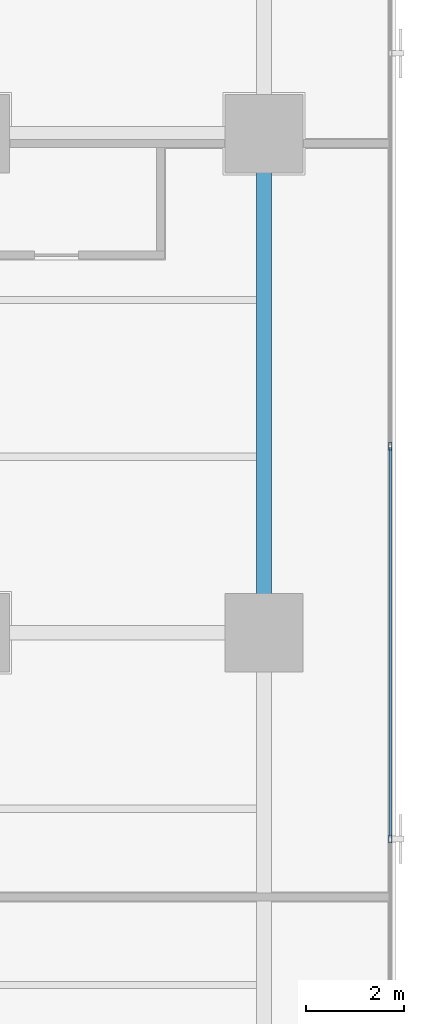
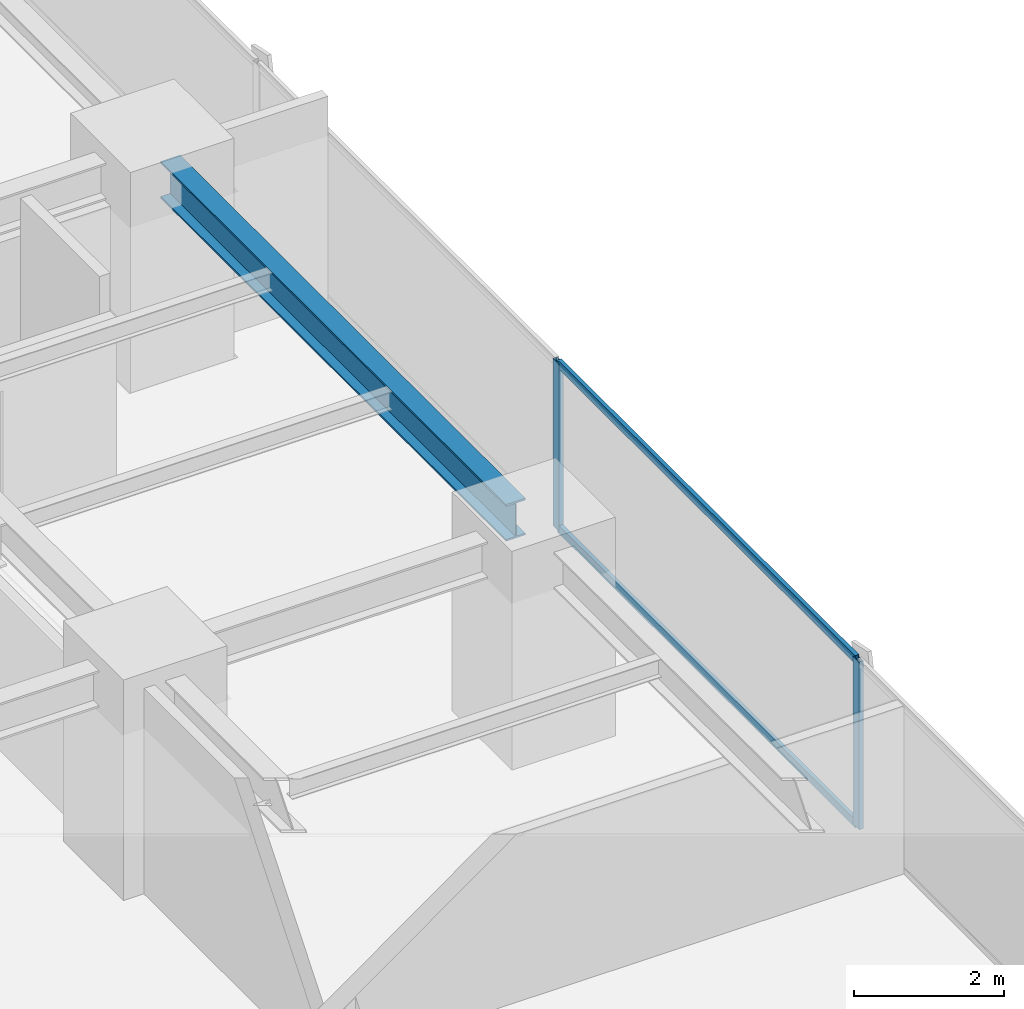
# One storey, part 16 of 35: 4 members, 1 beam, 1 element without a shape of its own.
"""IFC4 building model written with IfcOpenShell, lengths in metres."""

from ifc_helpers import new_model, si_unit, direction, frame, origin, origin_2d, place, context, subcontext, project, spatial, hollow_rectangle, i_section, extrude, source, transform, mapped, material, layer, layer_set, material_profile, profile_set, type_object, element, aggregate, save


model = new_model("IFC4")

# Units and contexts
model_context = context("Model", 3, precision=1e-05, world=origin(), true_north=direction((0.0, 1.0)))
body_context = subcontext(model_context, "Body", "Model", "MODEL_VIEW")
ifc_project = project(units=[si_unit("LENGTHUNIT", "METRE"), si_unit("AREAUNIT", "SQUARE_METRE"), si_unit("VOLUMEUNIT", "CUBIC_METRE"), si_unit("PLANEANGLEUNIT", "RADIAN"), si_unit("MASSUNIT", "GRAM", prefix="KILO")], contexts=[model_context])

# Site, building, storey
site_placement = place(None, origin())
site = spatial("IfcSite", under=ifc_project, at=site_placement, CompositionType="ELEMENT")
building_placement = place(site_placement, origin())
building = spatial("IfcBuilding", under=site, at=building_placement, Name="Sumidabori Civic Tower", CompositionType="ELEMENT")
storey_placement = place(building_placement, frame((0.0, 0.0, 102.800048828125)))
storey = spatial("IfcBuildingStorey", under=building, at=storey_placement, Name="L26", CompositionType="ELEMENT", Elevation=102.800048828125)

# Beam
ifc_material_1 = material(Name="Steel SN490", Category="steel")
ifc_material_profile_1 = material_profile(ifc_material_1, i_section(OverallWidth=0.300048828125, OverallDepth=0.60009765625, WebThickness=0.015380859375, FlangeThickness=0.030029296875, at=origin_2d()), Name="HE 600 B")
ifc_profile_set_1 = profile_set([ifc_material_profile_1], Name="Steel SN490")
beam_type = type_object("IfcBeamType", Name="BM-GIRD-600", PredefinedType="BEAM", material=ifc_profile_set_1)
shared_shape_1 = source(origin(), body_context, "Body", "SweptSolid", [
    extrude(i_section(OverallWidth=0.300048828125, OverallDepth=0.60009765625, WebThickness=0.015380859375, FlangeThickness=0.030029296875, at=origin_2d()), origin(), (0.0, 0.0, 1.0), 9.239990234375),
])
beam_placement = place(storey_placement, frame((22.800048828125, 0.47998046875, 3.06005859375), z_axis=(0.0, 1.0, 0.0), x_axis=(-1.0, 0.0, 0.0)))
element("IfcBeam", 1, at=beam_placement, inside=storey, type_object=beam_type, Name="Primary Girder L26 GY-41", PredefinedType="BEAM", context=body_context, shape_type="MappedRepresentation", body=[
    mapped(shared_shape_1, transform((0.0, 0.0, 0.0), x_axis=(1.0, 0.0, 0.0), y_axis=(0.0, 1.0, 0.0), z_axis=(0.0, 0.0, 1.0), scale=1.0)),
])

# Curtain wall, members
ifc_material_2 = material(Name="Anodised Bronze Aluminium AW-6063-T6", Category="aluminium")
ifc_layer = layer(ifc_material_2, 0.179931640625, Name="Anodised Bronze Aluminium AW-6063-T6")
ifc_layer_set = layer_set([ifc_layer], Name="Anodised Bronze Aluminium AW-6063-T6")
curtain_wall_type = type_object("IfcCurtainWallType", Name="CW-SYS-3", PredefinedType="NOTDEFINED", material=ifc_layer_set)
curtain_wall_placement = place(storey_placement, origin())
curtain_wall = element("IfcCurtainWall", 2, at=curtain_wall_placement, inside=storey, type_object=curtain_wall_type, Name="Curtain Wall CW:L26:R04", PredefinedType="NOTDEFINED")
ifc_material_profile_2 = material_profile(ifc_material_2, hollow_rectangle(XDim=0.06494140625, YDim=0.159912109375, WallThickness=0.0048828125, at=origin_2d()), Name="ALU MULLION 160x65")
ifc_profile_set_2 = profile_set([ifc_material_profile_2], Name="Anodised Bronze Aluminium AW-6063-T6")
member_type_1 = type_object("IfcMemberType", Name="CW-MUL-160", PredefinedType="MULLION", material=ifc_profile_set_2)
shared_shape_2 = source(origin(), body_context, "Body", "SweptSolid", [
    extrude(hollow_rectangle(XDim=0.06494140625, YDim=0.159912109375, WallThickness=0.0048828125, at=origin_2d()), origin(), (0.0, 0.0, 1.0), 2.739990234375),
])
member_1_placement = place(storey_placement, frame((25.3798828125, -4.214111328125, 0.0), z_axis=(0.0, 0.0, 1.0), x_axis=(-1.0, 0.0, 0.0)))
member_1 = element("IfcMember", 3, at=member_1_placement, type_object=member_type_1, Name="CW-3 mullion 3", PredefinedType="MULLION", context=body_context, shape_type="MappedRepresentation", body=[
    mapped(shared_shape_2, transform((0.0, 0.0, 0.0), x_axis=(1.0, 0.0, 0.0), y_axis=(0.0, 1.0, 0.0), z_axis=(0.0, 0.0, 1.0), scale=1.0)),
])
member_2_placement = place(storey_placement, frame((25.3798828125, 3.81396484375, 0.0), z_axis=(0.0, 0.0, 1.0), x_axis=(-1.0, 0.0, 0.0)))
member_2 = element("IfcMember", 4, at=member_2_placement, type_object=member_type_1, Name="CW-3 mullion 4", PredefinedType="MULLION", context=body_context, shape_type="MappedRepresentation", body=[
    mapped(shared_shape_2, transform((0.0, 0.0, 0.0), x_axis=(1.0, 0.0, 0.0), y_axis=(0.0, 1.0, 0.0), z_axis=(0.0, 0.0, 1.0), scale=1.0)),
])
ifc_material_profile_3 = material_profile(ifc_material_2, hollow_rectangle(XDim=0.06005859375, YDim=0.1298828125, WallThickness=0.0048828125, at=origin_2d()), Name="ALU TRANSOM 130x60")
ifc_profile_set_3 = profile_set([ifc_material_profile_3], Name="Anodised Bronze Aluminium AW-6063-T6")
member_type_2 = type_object("IfcMemberType", Name="CW-TRN-130", PredefinedType="USERDEFINED", material=ifc_profile_set_3)
shared_shape_3 = source(origin(), body_context, "Body", "SweptSolid", [
    extrude(hollow_rectangle(XDim=0.06005859375, YDim=0.1298828125, WallThickness=0.0048828125, at=origin_2d()), origin(), (0.0, 0.0, 1.0), 7.962890625),
])
member_3_placement = place(storey_placement, frame((25.3798828125, -4.181396484375, 0.030029296875), z_axis=(0.0, 1.0, 0.0), x_axis=(-1.0, 0.0, 0.0)))
member_3 = element("IfcMember", 5, at=member_3_placement, type_object=member_type_2, Name="CW-3 transom 3.1", ObjectType="TRANSOM", PredefinedType="USERDEFINED", context=body_context, shape_type="MappedRepresentation", body=[
    mapped(shared_shape_3, transform((0.0, 0.0, 0.0), x_axis=(1.0, 0.0, 0.0), y_axis=(0.0, 1.0, 0.0), z_axis=(0.0, 0.0, 1.0), scale=1.0)),
])
member_4_placement = place(storey_placement, frame((25.3798828125, -4.181396484375, 2.7099609375), z_axis=(0.0, 1.0, 0.0), x_axis=(-1.0, 0.0, 0.0)))
member_4 = element("IfcMember", 6, at=member_4_placement, type_object=member_type_2, Name="CW-3 transom 3.2", ObjectType="TRANSOM", PredefinedType="USERDEFINED", context=body_context, shape_type="MappedRepresentation", body=[
    mapped(shared_shape_3, transform((0.0, 0.0, 0.0), x_axis=(1.0, 0.0, 0.0), y_axis=(0.0, 1.0, 0.0), z_axis=(0.0, 0.0, 1.0), scale=1.0)),
])
aggregate(curtain_wall, [member_1, member_2, member_3, member_4])

save(model, "model.ifc")
